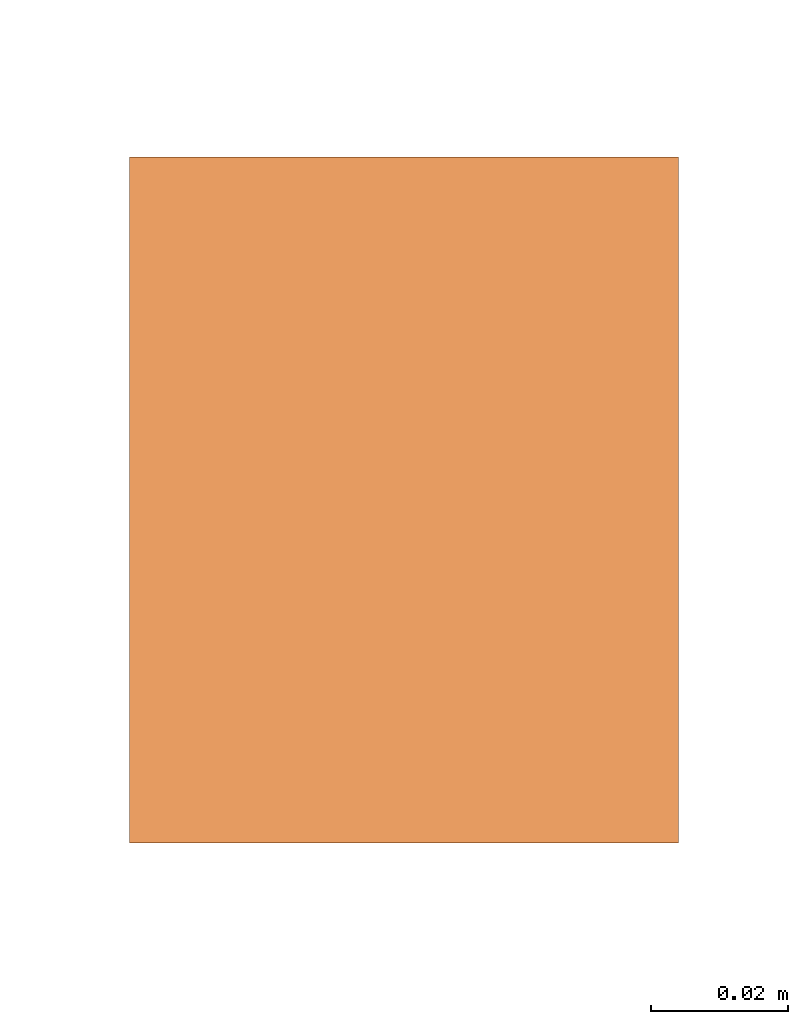
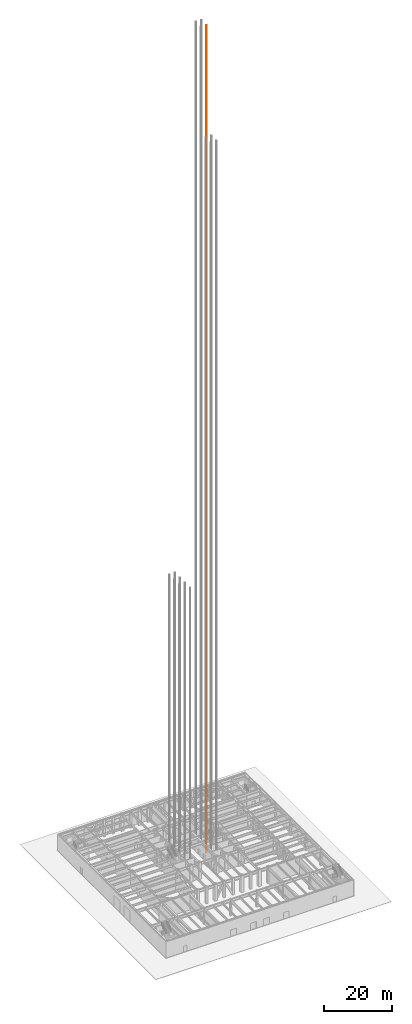
# One storey, part 33 of 35: 1 proxy.
"""IFC4 building model written with IfcOpenShell, lengths in metres."""

from ifc_helpers import new_model, si_unit, direction, frame, origin, origin_2d, place, context, subcontext, project, spatial, rectangle, extrude, material, type_object, element, save


model = new_model("IFC4")

# Units and contexts
model_context = context("Model", 3, precision=1e-05, world=origin(), true_north=direction((0.0, 1.0)))
body_context = subcontext(model_context, "Body", "Model", "MODEL_VIEW")
ifc_project = project(units=[si_unit("LENGTHUNIT", "METRE"), si_unit("AREAUNIT", "SQUARE_METRE"), si_unit("VOLUMEUNIT", "CUBIC_METRE"), si_unit("PLANEANGLEUNIT", "RADIAN"), si_unit("MASSUNIT", "GRAM", prefix="KILO")], contexts=[model_context])

# Site, building, storey
site_placement = place(None, origin())
site = spatial("IfcSite", under=ifc_project, at=site_placement, CompositionType="ELEMENT")
building_placement = place(site_placement, origin())
building = spatial("IfcBuilding", under=site, at=building_placement, Name="Chuquiago Exchange Tower", CompositionType="ELEMENT")
storey_placement = place(building_placement, origin())
storey = spatial("IfcBuildingStorey", under=building, at=storey_placement, Name="L00", CompositionType="ELEMENT", Elevation=0.0)

# Proxy
ifc_material = material(Name="Galvanised steel guide rail", Category="steel")
building_element_proxy_type = type_object("IfcBuildingElementProxyType", Name="LR lift guide rail", PredefinedType="NOTDEFINED", material=ifc_material)
proxy_placement = place(storey_placement, frame((27.93505859375, 22.5, 0.0), z_axis=(0.0, 0.0, 1.0), x_axis=(1.0, 0.0, 0.0)))
element("IfcBuildingElementProxy", 1, at=proxy_placement, inside=storey, type_object=building_element_proxy_type, Name="Lift LS3 guide rail E", PredefinedType="NOTDEFINED", context=body_context, shape_type="SweptSolid", body=[
    extrude(rectangle(XDim=0.080078125, YDim=0.10009765625, at=origin_2d()), origin(), (0.0, 0.0, 1.0), 298.699951171875),
])

save(model, "model.ifc")
